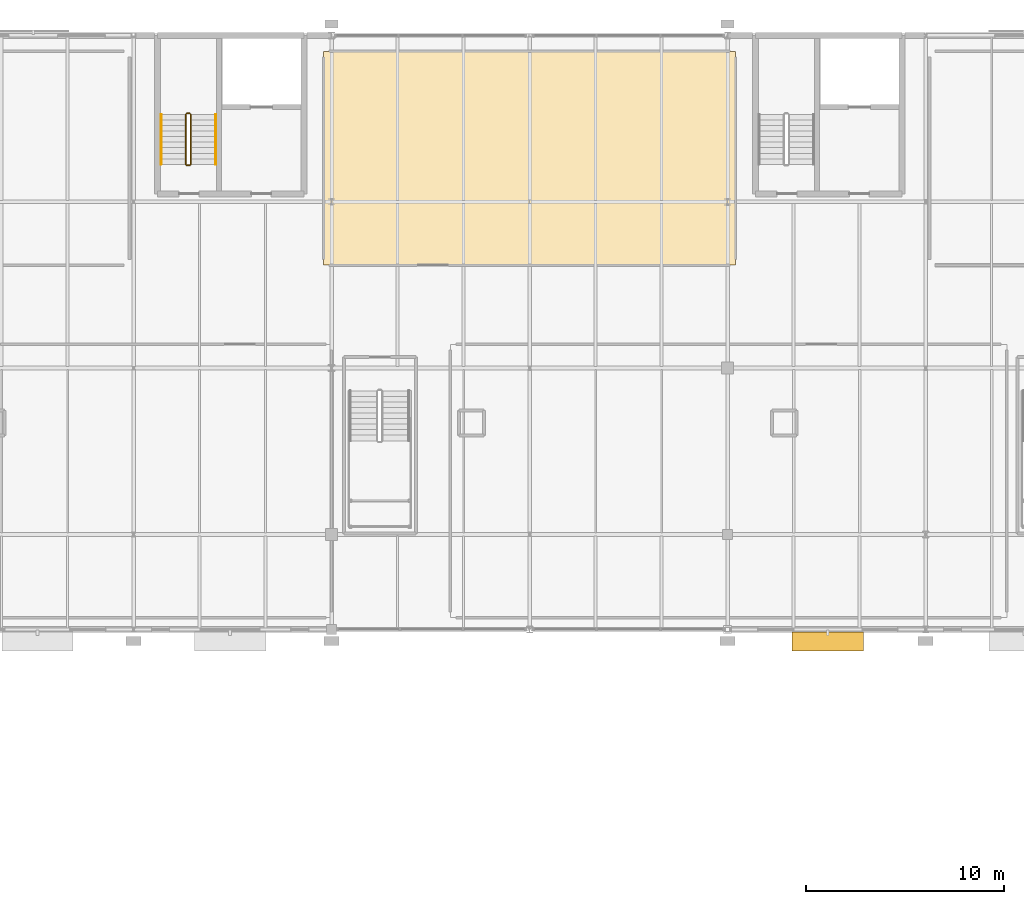
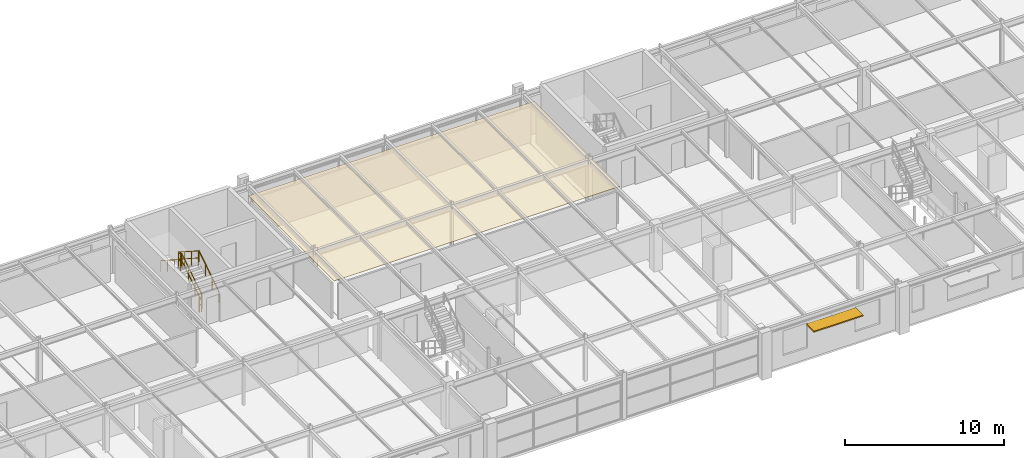
# One storey, part 108 of 109: 6 railings, 1 covering, 1 shading device.
"""IFC4 building model written with IfcOpenShell, lengths in metres."""

import ifcopenshell
import ifcopenshell.guid

model = None  # the IFC model being written
_history = None  # IfcOwnerHistory: only IFC2X3 demands one
_inside = {}  # id of a spatial element -> (the spatial element, [elements in it])
_under = {}  # id of a project, library or spatial element -> (it, [spatial elements below it])
_declared = {}  # id of a project -> (the project, [libraries it declares])
_typed = {}  # id of a type object -> (the type object, [elements of that type])
_made_of = {}  # id of a material, layer set ... -> (it, [elements and type objects made of it])


def new_model(schema):
    """Start an empty IFC model of exactly this schema.

    Asked for "IFC4X3", IfcOpenShell would pick the latest addendum, in which some entities
    have other attributes; the version numbers below select the first issue.
    IFC2X3 requires an IfcOwnerHistory on every rooted entity: one is made here for all.
    """
    global model, _history
    if schema == "IFC4X3":
        model = ifcopenshell.file(schema_version=(4, 3, 0, 0))
    else:
        model = ifcopenshell.file(schema=schema)
    _inside.clear()
    _under.clear()
    _declared.clear()
    _typed.clear()
    _made_of.clear()
    _history = None
    if model.schema == "IFC2X3":
        org = make("IfcOrganization", Name="unknown")
        user = make(
            "IfcPersonAndOrganization",
            ThePerson=make("IfcPerson", FamilyName="unknown"),
            TheOrganization=org,
        )
        app = make(
            "IfcApplication",
            ApplicationDeveloper=org,
            Version="unknown",
            ApplicationFullName="unknown",
            ApplicationIdentifier="unknown",
        )
        _history = make(
            "IfcOwnerHistory",
            OwningUser=user,
            OwningApplication=app,
            ChangeAction="ADDED",
            CreationDate=0,
        )
    return model


def make(cls, **values):
    """One entity of the class cls with the attributes given. An attribute that is None is left unset."""
    return model.create_entity(
        cls, **{name: value for name, value in values.items() if value is not None}
    )


def rooted(cls, **values):
    """An entity with a GlobalId (a new one), such as an element, a storey or a relation."""
    return make(cls, GlobalId=ifcopenshell.guid.new(), OwnerHistory=_history, **values)


def si_unit(unit_type, name, prefix=None):
    """IfcSIUnit, for example si_unit("LENGTHUNIT", "METRE", prefix="MILLI")."""
    return make("IfcSIUnit", UnitType=unit_type, Prefix=prefix, Name=name)


def derived_unit(unit_type, elements):
    """IfcDerivedUnit: a product of units, each with its exponent."""
    return make(
        "IfcDerivedUnit",
        Elements=[
            make("IfcDerivedUnitElement", Unit=unit, Exponent=power)
            for unit, power in elements
        ],
        UnitType=unit_type,
    )


def assignment(units):
    """IfcUnitAssignment: the units of a project."""
    return None if units is None else make("IfcUnitAssignment", Units=units)


def point(xyz):
    """IfcCartesianPoint."""
    return None if xyz is None else make("IfcCartesianPoint", Coordinates=xyz)


def direction(xyz):
    """IfcDirection."""
    return None if xyz is None else make("IfcDirection", DirectionRatios=xyz)


def frame(location, z_axis=None, x_axis=None):
    """IfcAxis2Placement3D, a coordinate frame: its origin and axes. An axis left out is left unset."""
    return make(
        "IfcAxis2Placement3D",
        Location=point(location),
        Axis=direction(z_axis),
        RefDirection=direction(x_axis),
    )


def frame_2d(location, x_axis=None):
    """IfcAxis2Placement2D, a coordinate frame in the plane: its origin and x axis."""
    return make(
        "IfcAxis2Placement2D", Location=point(location), RefDirection=direction(x_axis)
    )


def origin():
    """The frame at (0, 0, 0) with its axes left unset."""
    return frame((0.0, 0.0, 0.0))


def origin_2d_with_axis():
    """The frame at (0, 0) in the plane with the x axis (1, 0) written out."""
    return frame_2d((0.0, 0.0), x_axis=(1.0, 0.0))


def place(relative_to, where):
    """IfcLocalPlacement: puts the frame where relative to a parent placement (None: the world)."""
    return make(
        "IfcLocalPlacement", PlacementRelTo=relative_to, RelativePlacement=where
    )


def context(
    kind, dimensions, precision=None, world=None, true_north=None, identifier=None
):
    """IfcGeometricRepresentationContext, for example the 3D "Model" context."""
    return make(
        "IfcGeometricRepresentationContext",
        ContextIdentifier=identifier,
        ContextType=kind,
        CoordinateSpaceDimension=dimensions,
        Precision=precision,
        WorldCoordinateSystem=world,
        TrueNorth=true_north,
    )


def subcontext(parent, identifier, kind, view, scale=None):
    """IfcGeometricRepresentationSubContext, for example "Body" below "Model"."""
    return make(
        "IfcGeometricRepresentationSubContext",
        ContextIdentifier=identifier,
        ContextType=kind,
        ParentContext=parent,
        TargetScale=scale,
        TargetView=view,
    )


def project(units=None, contexts=None):
    """IfcProject with its units and contexts."""
    return rooted(
        "IfcProject",
        Name="project",
        RepresentationContexts=contexts,
        UnitsInContext=assignment(units),
    )


def spatial(cls, under=None, at=None, **own):
    """A site, building, storey or space (cls), placed at a placement, below another one or the project."""
    s = rooted(cls, ObjectPlacement=at, **own)
    if under is not None:
        _under.setdefault(under.id(), (under, []))[1].append(s)
    return s


def polyline(points):
    """IfcPolyline through the points."""
    return make("IfcPolyline", Points=[point(p) for p in points])


def profile(cls, at=None, kind="AREA", **sizes):
    """A parametric profile (cls). Its sizes go by their IFC names, for example OverallWidth=200.0."""
    return make(cls, ProfileType=kind, Position=at, **sizes)


def rectangle(**sizes):
    """IfcRectangleProfileDef."""
    return profile("IfcRectangleProfileDef", **sizes)


def circle(**sizes):
    """IfcCircleProfileDef."""
    return profile("IfcCircleProfileDef", **sizes)


def outline(outer, holes=None, kind="AREA"):
    """IfcArbitraryClosedProfileDef: a profile drawn as a closed curve; with holes, ...WithVoids."""
    if holes is None:
        return make("IfcArbitraryClosedProfileDef", ProfileType=kind, OuterCurve=outer)
    return make(
        "IfcArbitraryProfileDefWithVoids",
        ProfileType=kind,
        OuterCurve=outer,
        InnerCurves=holes,
    )


def extrude(swept, where, along, depth):
    """IfcExtrudedAreaSolid: the profile swept, set in the frame where, extruded along a direction by depth."""
    return make(
        "IfcExtrudedAreaSolid",
        SweptArea=swept,
        Position=where,
        ExtrudedDirection=direction(along),
        Depth=depth,
    )


def shape(context_of_items, identifier, shape_type, items):
    """IfcShapeRepresentation: the items that make up one representation, for example the "Body"."""
    return make(
        "IfcShapeRepresentation",
        ContextOfItems=context_of_items,
        RepresentationIdentifier=identifier,
        RepresentationType=shape_type,
        Items=items,
    )


def material(Name=None, Category=None):
    """IfcMaterial."""
    return make("IfcMaterial", Name=Name, Category=Category)


def layer(
    of_material, thickness, ventilated=None, Name=None, Category=None, Priority=None
):
    """IfcMaterialLayer: one layer of a wall or slab, of a material (None: an air gap)."""
    return make(
        "IfcMaterialLayer",
        Material=of_material,
        LayerThickness=thickness,
        IsVentilated=ventilated,
        Name=Name,
        Category=Category,
        Priority=Priority,
    )


def layer_set(layers, Name=None):
    """IfcMaterialLayerSet."""
    return make("IfcMaterialLayerSet", MaterialLayers=layers, LayerSetName=Name)


def made_of(thing, what):
    """Note that an element or type object is made of a material, layer set ...; save() writes the relation."""
    if what is not None:
        _made_of.setdefault(what.id(), (what, []))[1].append(thing)
    return thing


def type_object(cls, material=None, **own):
    """A type object (cls), such as IfcWallType, which elements share."""
    return made_of(rooted(cls, **own), material)


def element(
    cls,
    number,
    at=None,
    inside=None,
    cuts=None,
    type_object=None,
    material=None,
    context=None,
    identifier="Body",
    shape_type=None,
    held_by="IfcProductDefinitionShape",
    body=None,
    shapes=None,
    **own,
):
    """One element of the class cls, such as IfcWall. Its Tag is "e" and its number.

    at: its placement. inside: the storey or other place that contains it. cuts: it is an
    opening in that element (IfcRelVoidsElement). A single representation is given by context,
    identifier, shape_type and body (its items); several are given by shapes. held_by: the class
    of the entity that holds the representations. save() writes the other relations.
    """
    e = rooted(cls, Tag="e%d" % number, ObjectPlacement=at, **own)
    if body is not None:
        shapes = [shape(context, identifier, shape_type, body)]
    if shapes is not None:
        e.Representation = make(held_by, Representations=shapes)
    if inside is not None:
        _inside.setdefault(inside.id(), (inside, []))[1].append(e)
    if cuts is not None:
        rooted(
            "IfcRelVoidsElement", RelatingBuildingElement=cuts, RelatedOpeningElement=e
        )
    if type_object is not None:
        _typed.setdefault(type_object.id(), (type_object, []))[1].append(e)
    return made_of(e, material)


def aggregate(whole, parts):
    """IfcRelAggregates: a whole, such as a stair, and the parts it consists of."""
    return rooted("IfcRelAggregates", RelatingObject=whole, RelatedObjects=parts)


def save(model, path):
    """Write the relations noted so far, then the file.

    IfcRelAggregates (storeys below a building ...), IfcRelContainedInSpatialStructure (elements
    in a storey), IfcRelDefinesByType, IfcRelAssociatesMaterial and IfcRelDeclares: one each for
    every whole, place, type object, material and project.
    """
    for whole, parts in _under.values():
        aggregate(whole, parts)
    for where, things in _inside.values():
        rooted(
            "IfcRelContainedInSpatialStructure",
            RelatedElements=things,
            RelatingStructure=where,
        )
    for kind, things in _typed.values():
        rooted("IfcRelDefinesByType", RelatedObjects=things, RelatingType=kind)
    for what, things in _made_of.values():
        rooted("IfcRelAssociatesMaterial", RelatedObjects=things, RelatingMaterial=what)
    for by, libraries in _declared.values():
        rooted("IfcRelDeclares", RelatingContext=by, RelatedDefinitions=libraries)
    model.write(path)


model = new_model("IFC4")

# Units and contexts
model_context = context("Model", 3, precision=1e-05, world=origin(), true_north=direction((0.0, 1.0)))
body_context = subcontext(model_context, "Body", "Model", "MODEL_VIEW")
ifc_project = project(units=[si_unit("LENGTHUNIT", "METRE"), si_unit("AREAUNIT", "SQUARE_METRE"), si_unit("VOLUMEUNIT", "CUBIC_METRE"), si_unit("PLANEANGLEUNIT", "RADIAN"), si_unit("MASSUNIT", "GRAM", prefix="KILO"), derived_unit("THERMALTRANSMITTANCEUNIT", [(si_unit("POWERUNIT", "WATT"), 1), (si_unit("LENGTHUNIT", "METRE"), -2), (si_unit("THERMODYNAMICTEMPERATUREUNIT", "KELVIN"), -1)])], contexts=[model_context])

# Site, building, storey
site_placement = place(None, origin())
site = spatial("IfcSite", under=ifc_project, at=site_placement, CompositionType="ELEMENT")
building_placement = place(site_placement, origin())
building = spatial("IfcBuilding", under=site, at=building_placement, Name="Cinnabar Yard Market Hall", CompositionType="ELEMENT")
storey_placement = place(building_placement, frame((0.0, 0.0, 8.39990234375)))
storey = spatial("IfcBuildingStorey", under=building, at=storey_placement, Name="L02", CompositionType="ELEMENT", Elevation=8.39990234375)

# Covering
ifc_material_1 = material(Name="Perforated acoustic spotted-gum timber slats", Category="wood")
ifc_layer_1 = layer(ifc_material_1, 0.0400390625)
ifc_layer_set_1 = layer_set([ifc_layer_1], Name="Perforated acoustic spotted-gum timber slats")
covering_type = type_object("IfcCoveringType", Name="COV-CLG1", PredefinedType="CEILING", material=ifc_layer_set_1)
covering_placement = place(storey_placement, frame((0.0, 0.0, 3.0)))
element("IfcCovering", 1, at=covering_placement, inside=storey, type_object=covering_type, Name="Ceiling Sensory Evaluation Classroom 203", PredefinedType="CEILING", context=body_context, shape_type="SweptSolid", body=[
    extrude(outline(polyline([(105.60009765625, 126.39990234375), (126.39990234375, 126.39990234375), (126.39990234375, 137.199951171875), (105.60009765625, 137.199951171875), (105.60009765625, 126.39990234375)])), origin(), (0.0, 0.0, 1.0), 0.03515625),
])

# Railings
ifc_material_2 = material(Name="Galvanised steel Grade 300 (300 MPa) guardrail", Category="steel")
ifc_layer_2 = layer(ifc_material_2, 0.06005859375)
ifc_layer_set_2 = layer_set([ifc_layer_2], Name="Galvanised steel Grade 300 (300 MPa) guardrail")
railing_type_1 = type_object("IfcRailingType", Name="RL-G03", PredefinedType="GUARDRAIL", material=ifc_layer_set_2)
railing_1_placement = place(storey_placement, frame((98.89990234375, 131.489990234375, 0.18017578125)))
element("IfcRailing", 2, at=railing_1_placement, inside=storey, type_object=railing_type_1, Name="L02 ST-C5 stair guard 1", PredefinedType="GUARDRAIL", context=body_context, shape_type="SweptSolid", body=[
    extrude(circle(Radius=0.02392578125, at=origin_2d_with_axis()), frame((0.0, 0.0, 1.09619140625), z_axis=(0.0, 0.841199657755, 0.540724639528), x_axis=(-1.0, 0.0, 0.0)), (0.0, 0.0, 1.0), 2.995849609375),
    extrude(circle(Radius=0.02392578125, at=origin_2d_with_axis()), frame((0.0, 0.0, 0.550048828125), z_axis=(0.0, 0.841199657755, 0.540724639528), x_axis=(-1.0, 0.0, 0.0)), (0.0, 0.0, 1.0), 2.995849609375),
    extrude(circle(Radius=0.02099609375, at=origin_2d_with_axis()), origin(), (0.0, 0.0, 1.0), 1.072021484375),
    extrude(circle(Radius=0.02099609375, at=origin_2d_with_axis()), frame((0.0, 0.840087890625, 0.5400390625)), (0.0, 0.0, 1.0), 1.072021484375),
    extrude(circle(Radius=0.02099609375, at=origin_2d_with_axis()), frame((0.0, 1.679931640625, 1.079833984375)), (0.0, 0.0, 1.0), 1.072021484375),
    extrude(circle(Radius=0.02099609375, at=origin_2d_with_axis()), frame((0.0, 2.52001953125, 1.619873046875)), (0.0, 0.0, 1.0), 1.072021484375),
])
railing_2_placement = place(storey_placement, frame((98.85009765625, 134.06005859375, 1.800048828125)))
element("IfcRailing", 3, at=railing_2_placement, inside=storey, type_object=railing_type_1, Name="L02 ST-C5 stair guard 2", PredefinedType="GUARDRAIL", context=body_context, shape_type="SweptSolid", body=[
    extrude(circle(Radius=0.02392578125, at=origin_2d_with_axis()), frame((0.0, 0.0, 1.09619140625), z_axis=(-1.0, 0.0, 0.0), x_axis=(0.0, -1.0, 0.0)), (0.0, 0.0, 1.0), 0.16015625),
    extrude(circle(Radius=0.02392578125, at=origin_2d_with_axis()), frame((0.0, 0.0, 0.550048828125), z_axis=(-1.0, 0.0, 0.0), x_axis=(0.0, -1.0, 0.0)), (0.0, 0.0, 1.0), 0.16015625),
    extrude(circle(Radius=0.02099609375, at=origin_2d_with_axis()), origin(), (0.0, 0.0, 1.0), 1.072021484375),
    extrude(circle(Radius=0.02099609375, at=origin_2d_with_axis()), frame((-0.16015625, 0.0, 0.0)), (0.0, 0.0, 1.0), 1.072021484375),
])
railing_3_placement = place(storey_placement, frame((98.639892578125, 134.010009765625, 1.97998046875)))
element("IfcRailing", 4, at=railing_3_placement, inside=storey, type_object=railing_type_1, Name="L02 ST-C5 stair guard 3", PredefinedType="GUARDRAIL", context=body_context, shape_type="SweptSolid", body=[
    extrude(circle(Radius=0.02392578125, at=origin_2d_with_axis()), frame((0.0, 0.0, 1.09619140625), z_axis=(0.0, -0.841162588446, 0.540782303519), x_axis=(1.0, 0.0, 0.0)), (0.0, 0.0, 1.0), 2.995849609375),
    extrude(circle(Radius=0.02392578125, at=origin_2d_with_axis()), frame((0.0, 0.0, 0.550048828125), z_axis=(0.0, -0.841162588446, 0.540782303519), x_axis=(1.0, 0.0, 0.0)), (0.0, 0.0, 1.0), 2.995849609375),
    extrude(circle(Radius=0.02099609375, at=origin_2d_with_axis()), origin(), (0.0, 0.0, 1.0), 1.072021484375),
    extrude(circle(Radius=0.02099609375, at=origin_2d_with_axis()), frame((0.0, -0.840087890625, 0.5400390625)), (0.0, 0.0, 1.0), 1.072021484375),
    extrude(circle(Radius=0.02099609375, at=origin_2d_with_axis()), frame((0.0, -1.679931640625, 1.080078125)), (0.0, 0.0, 1.0), 1.072021484375),
    extrude(circle(Radius=0.02099609375, at=origin_2d_with_axis()), frame((0.0, -2.52001953125, 1.6201171875)), (0.0, 0.0, 1.0), 1.072021484375),
])
railing_4_placement = place(storey_placement, frame((98.85009765625, 131.43994140625, 0.0)))
element("IfcRailing", 5, at=railing_4_placement, inside=storey, type_object=railing_type_1, Name="L02 ST-C5 stair guard 4", PredefinedType="GUARDRAIL", context=body_context, shape_type="SweptSolid", body=[
    extrude(circle(Radius=0.02392578125, at=origin_2d_with_axis()), frame((0.0, 0.0, 1.09619140625), z_axis=(-1.0, 0.0, 0.0), x_axis=(0.0, -1.0, 0.0)), (0.0, 0.0, 1.0), 0.16015625),
    extrude(circle(Radius=0.02392578125, at=origin_2d_with_axis()), frame((0.0, 0.0, 0.550048828125), z_axis=(-1.0, 0.0, 0.0), x_axis=(0.0, -1.0, 0.0)), (0.0, 0.0, 1.0), 0.16015625),
    extrude(circle(Radius=0.02099609375, at=origin_2d_with_axis()), origin(), (0.0, 0.0, 1.0), 1.072021484375),
    extrude(circle(Radius=0.02099609375, at=origin_2d_with_axis()), frame((-0.16015625, 0.0, 0.0)), (0.0, 0.0, 1.0), 1.072021484375),
])
ifc_material_3 = material(Name="Brushed stainless steel handrail", Category="steel")
ifc_layer_3 = layer(ifc_material_3, 0.050048828125)
ifc_layer_set_3 = layer_set([ifc_layer_3], Name="Brushed stainless steel handrail")
railing_type_2 = type_object("IfcRailingType", Name="RL-HR1", PredefinedType="HANDRAIL", material=ifc_layer_set_3)
railing_5_placement = place(storey_placement, frame((100.14990234375, 131.489990234375, 0.18017578125)))
element("IfcRailing", 6, at=railing_5_placement, inside=storey, type_object=railing_type_2, Name="L02 ST-C5 stair handrail 1", PredefinedType="HANDRAIL", context=body_context, shape_type="SweptSolid", body=[
    extrude(circle(Radius=0.02392578125, at=origin_2d_with_axis()), frame((0.0, 0.0, 0.8759765625), z_axis=(0.0, 0.841199657755, 0.540724639528), x_axis=(-1.0, 0.0, 0.0)), (0.0, 0.0, 1.0), 2.995849609375),
    extrude(circle(Radius=0.02099609375, at=origin_2d_with_axis()), origin(), (0.0, 0.0, 1.0), 0.851806640625),
    extrude(circle(Radius=0.02099609375, at=origin_2d_with_axis()), frame((0.0, 0.840087890625, 0.5400390625)), (0.0, 0.0, 1.0), 0.851806640625),
    extrude(circle(Radius=0.02099609375, at=origin_2d_with_axis()), frame((0.0, 1.679931640625, 1.079833984375)), (0.0, 0.0, 1.0), 0.851806640625),
    extrude(circle(Radius=0.02099609375, at=origin_2d_with_axis()), frame((0.0, 2.52001953125, 1.619873046875)), (0.0, 0.0, 1.0), 0.851806640625),
])
railing_6_placement = place(storey_placement, frame((97.389892578125, 134.010009765625, 1.97998046875)))
element("IfcRailing", 7, at=railing_6_placement, inside=storey, type_object=railing_type_2, Name="L02 ST-C5 stair handrail 2", PredefinedType="HANDRAIL", context=body_context, shape_type="SweptSolid", body=[
    extrude(circle(Radius=0.02392578125, at=origin_2d_with_axis()), frame((0.0, 0.0, 0.8759765625), z_axis=(0.0, -0.841162588446, 0.540782303519), x_axis=(1.0, 0.0, 0.0)), (0.0, 0.0, 1.0), 2.995849609375),
    extrude(circle(Radius=0.02099609375, at=origin_2d_with_axis()), origin(), (0.0, 0.0, 1.0), 0.851806640625),
    extrude(circle(Radius=0.02099609375, at=origin_2d_with_axis()), frame((0.0, -0.840087890625, 0.5400390625)), (0.0, 0.0, 1.0), 0.851806640625),
    extrude(circle(Radius=0.02099609375, at=origin_2d_with_axis()), frame((0.0, -1.679931640625, 1.080078125)), (0.0, 0.0, 1.0), 0.851806640625),
    extrude(circle(Radius=0.02099609375, at=origin_2d_with_axis()), frame((0.0, -2.52001953125, 1.6201171875)), (0.0, 0.0, 1.0), 0.851806640625),
])

# Shading device
ifc_material_4 = material(Name="Projecting sandstone-clad steel chhajja hood", Category="masonry")
shading_device_type = type_object("IfcShadingDeviceType", Name="SHD-CHJ1", PredefinedType="SHUTTER", material=ifc_material_4)
shading_device_placement = place(storey_placement, frame((131.060302734375, 107.39990234375, 2.59521484375), z_axis=(0.0, 0.0, 1.0), x_axis=(1.0, 0.0, 0.0)))
element("IfcShadingDevice", 8, at=shading_device_placement, inside=storey, type_object=shading_device_type, Name="Wing South Chhajja Hood L02 Bay 7", PredefinedType="SHUTTER", context=body_context, shape_type="SweptSolid", body=[
    extrude(rectangle(XDim=3.60009765625, YDim=0.949951171875, at=origin_2d_with_axis()), origin(), (0.0, 0.0, 1.0), 0.090087890625),
])

save(model, "model.ifc")
